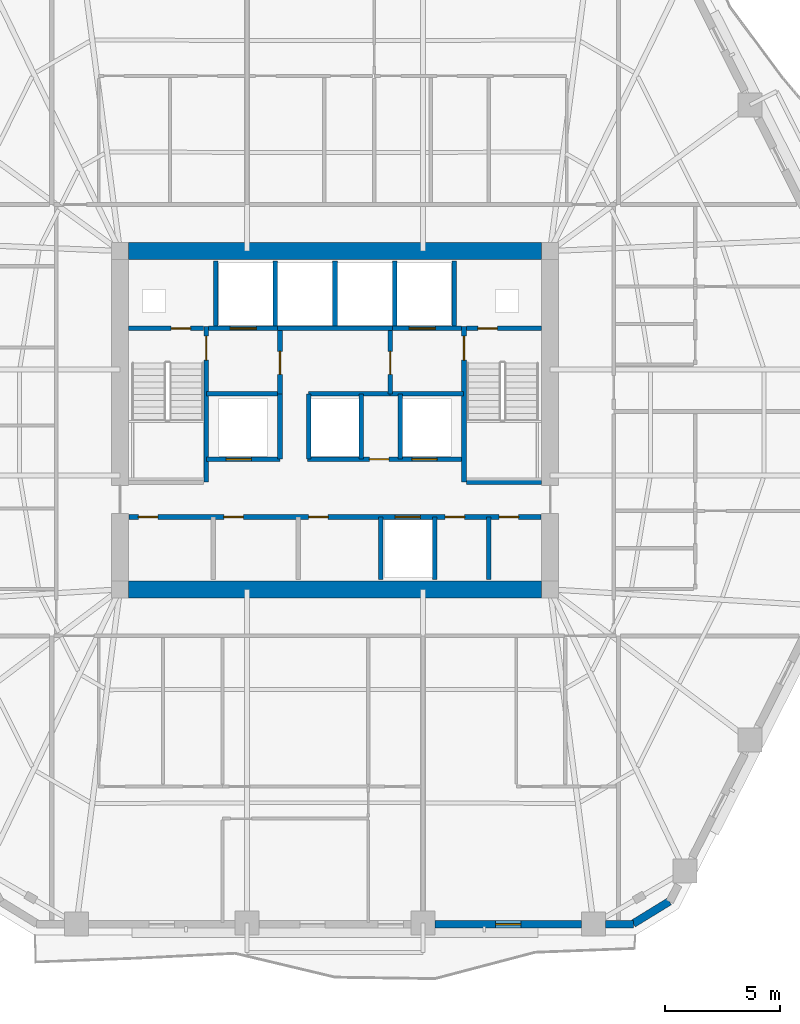
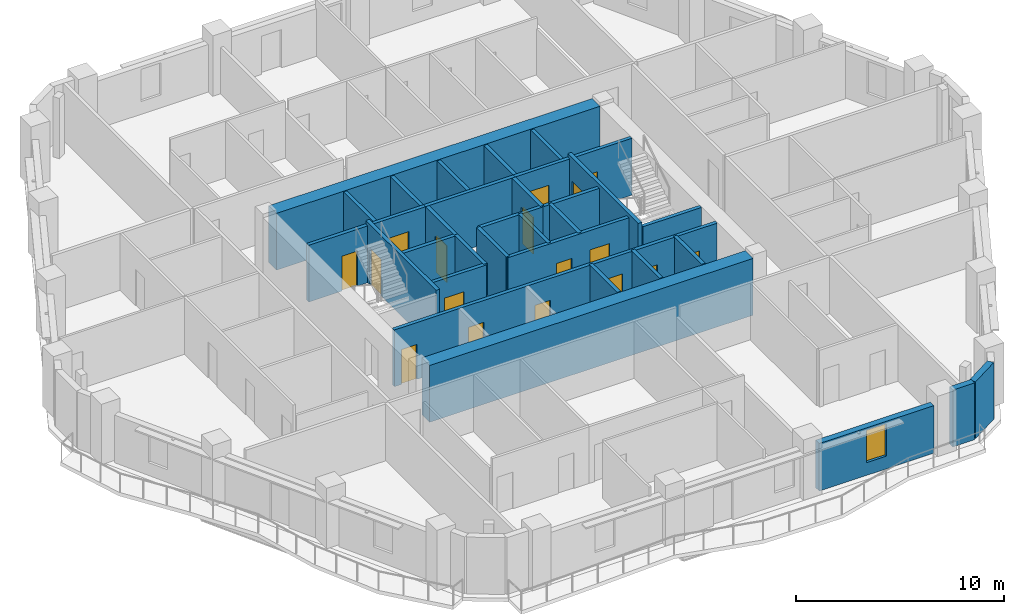
# One storey, part 5 of 12: 33 walls, 17 doors, 1 window, 18 openings.
"""IFC4 building model written with IfcOpenShell, lengths in metres."""

import ifcopenshell
import ifcopenshell.guid

model = None  # the IFC model being written
_history = None  # IfcOwnerHistory: only IFC2X3 demands one
_inside = {}  # id of a spatial element -> (the spatial element, [elements in it])
_under = {}  # id of a project, library or spatial element -> (it, [spatial elements below it])
_declared = {}  # id of a project -> (the project, [libraries it declares])
_typed = {}  # id of a type object -> (the type object, [elements of that type])
_made_of = {}  # id of a material, layer set ... -> (it, [elements and type objects made of it])


def new_model(schema):
    """Start an empty IFC model of exactly this schema.

    Asked for "IFC4X3", IfcOpenShell would pick the latest addendum, in which some entities
    have other attributes; the version numbers below select the first issue.
    IFC2X3 requires an IfcOwnerHistory on every rooted entity: one is made here for all.
    """
    global model, _history
    if schema == "IFC4X3":
        model = ifcopenshell.file(schema_version=(4, 3, 0, 0))
    else:
        model = ifcopenshell.file(schema=schema)
    _inside.clear()
    _under.clear()
    _declared.clear()
    _typed.clear()
    _made_of.clear()
    _history = None
    if model.schema == "IFC2X3":
        org = make("IfcOrganization", Name="unknown")
        user = make(
            "IfcPersonAndOrganization",
            ThePerson=make("IfcPerson", FamilyName="unknown"),
            TheOrganization=org,
        )
        app = make(
            "IfcApplication",
            ApplicationDeveloper=org,
            Version="unknown",
            ApplicationFullName="unknown",
            ApplicationIdentifier="unknown",
        )
        _history = make(
            "IfcOwnerHistory",
            OwningUser=user,
            OwningApplication=app,
            ChangeAction="ADDED",
            CreationDate=0,
        )
    return model


def make(cls, **values):
    """One entity of the class cls with the attributes given. An attribute that is None is left unset."""
    return model.create_entity(
        cls, **{name: value for name, value in values.items() if value is not None}
    )


def rooted(cls, **values):
    """An entity with a GlobalId (a new one), such as an element, a storey or a relation."""
    return make(cls, GlobalId=ifcopenshell.guid.new(), OwnerHistory=_history, **values)


def si_unit(unit_type, name, prefix=None):
    """IfcSIUnit, for example si_unit("LENGTHUNIT", "METRE", prefix="MILLI")."""
    return make("IfcSIUnit", UnitType=unit_type, Prefix=prefix, Name=name)


def assignment(units):
    """IfcUnitAssignment: the units of a project."""
    return None if units is None else make("IfcUnitAssignment", Units=units)


def point(xyz):
    """IfcCartesianPoint."""
    return None if xyz is None else make("IfcCartesianPoint", Coordinates=xyz)


def direction(xyz):
    """IfcDirection."""
    return None if xyz is None else make("IfcDirection", DirectionRatios=xyz)


def frame(location, z_axis=None, x_axis=None):
    """IfcAxis2Placement3D, a coordinate frame: its origin and axes. An axis left out is left unset."""
    return make(
        "IfcAxis2Placement3D",
        Location=point(location),
        Axis=direction(z_axis),
        RefDirection=direction(x_axis),
    )


def frame_2d(location, x_axis=None):
    """IfcAxis2Placement2D, a coordinate frame in the plane: its origin and x axis."""
    return make(
        "IfcAxis2Placement2D", Location=point(location), RefDirection=direction(x_axis)
    )


def origin():
    """The frame at (0, 0, 0) with its axes left unset."""
    return frame((0.0, 0.0, 0.0))


def place(relative_to, where):
    """IfcLocalPlacement: puts the frame where relative to a parent placement (None: the world)."""
    return make(
        "IfcLocalPlacement", PlacementRelTo=relative_to, RelativePlacement=where
    )


def context(
    kind, dimensions, precision=None, world=None, true_north=None, identifier=None
):
    """IfcGeometricRepresentationContext, for example the 3D "Model" context."""
    return make(
        "IfcGeometricRepresentationContext",
        ContextIdentifier=identifier,
        ContextType=kind,
        CoordinateSpaceDimension=dimensions,
        Precision=precision,
        WorldCoordinateSystem=world,
        TrueNorth=true_north,
    )


def subcontext(parent, identifier, kind, view, scale=None):
    """IfcGeometricRepresentationSubContext, for example "Body" below "Model"."""
    return make(
        "IfcGeometricRepresentationSubContext",
        ContextIdentifier=identifier,
        ContextType=kind,
        ParentContext=parent,
        TargetScale=scale,
        TargetView=view,
    )


def project(units=None, contexts=None):
    """IfcProject with its units and contexts."""
    return rooted(
        "IfcProject",
        Name="project",
        RepresentationContexts=contexts,
        UnitsInContext=assignment(units),
    )


def spatial(cls, under=None, at=None, **own):
    """A site, building, storey or space (cls), placed at a placement, below another one or the project."""
    s = rooted(cls, ObjectPlacement=at, **own)
    if under is not None:
        _under.setdefault(under.id(), (under, []))[1].append(s)
    return s


def profile(cls, at=None, kind="AREA", **sizes):
    """A parametric profile (cls). Its sizes go by their IFC names, for example OverallWidth=200.0."""
    return make(cls, ProfileType=kind, Position=at, **sizes)


def rectangle(**sizes):
    """IfcRectangleProfileDef."""
    return profile("IfcRectangleProfileDef", **sizes)


def extrude(swept, where, along, depth):
    """IfcExtrudedAreaSolid: the profile swept, set in the frame where, extruded along a direction by depth."""
    return make(
        "IfcExtrudedAreaSolid",
        SweptArea=swept,
        Position=where,
        ExtrudedDirection=direction(along),
        Depth=depth,
    )


def shape(context_of_items, identifier, shape_type, items):
    """IfcShapeRepresentation: the items that make up one representation, for example the "Body"."""
    return make(
        "IfcShapeRepresentation",
        ContextOfItems=context_of_items,
        RepresentationIdentifier=identifier,
        RepresentationType=shape_type,
        Items=items,
    )


def material(Name=None, Category=None):
    """IfcMaterial."""
    return make("IfcMaterial", Name=Name, Category=Category)


def layer(
    of_material, thickness, ventilated=None, Name=None, Category=None, Priority=None
):
    """IfcMaterialLayer: one layer of a wall or slab, of a material (None: an air gap)."""
    return make(
        "IfcMaterialLayer",
        Material=of_material,
        LayerThickness=thickness,
        IsVentilated=ventilated,
        Name=Name,
        Category=Category,
        Priority=Priority,
    )


def layer_set(layers, Name=None):
    """IfcMaterialLayerSet."""
    return make("IfcMaterialLayerSet", MaterialLayers=layers, LayerSetName=Name)


def made_of(thing, what):
    """Note that an element or type object is made of a material, layer set ...; save() writes the relation."""
    if what is not None:
        _made_of.setdefault(what.id(), (what, []))[1].append(thing)
    return thing


def type_object(cls, material=None, **own):
    """A type object (cls), such as IfcWallType, which elements share."""
    return made_of(rooted(cls, **own), material)


def element(
    cls,
    number,
    at=None,
    inside=None,
    cuts=None,
    type_object=None,
    material=None,
    context=None,
    identifier="Body",
    shape_type=None,
    held_by="IfcProductDefinitionShape",
    body=None,
    shapes=None,
    **own,
):
    """One element of the class cls, such as IfcWall. Its Tag is "e" and its number.

    at: its placement. inside: the storey or other place that contains it. cuts: it is an
    opening in that element (IfcRelVoidsElement). A single representation is given by context,
    identifier, shape_type and body (its items); several are given by shapes. held_by: the class
    of the entity that holds the representations. save() writes the other relations.
    """
    e = rooted(cls, Tag="e%d" % number, ObjectPlacement=at, **own)
    if body is not None:
        shapes = [shape(context, identifier, shape_type, body)]
    if shapes is not None:
        e.Representation = make(held_by, Representations=shapes)
    if inside is not None:
        _inside.setdefault(inside.id(), (inside, []))[1].append(e)
    if cuts is not None:
        rooted(
            "IfcRelVoidsElement", RelatingBuildingElement=cuts, RelatedOpeningElement=e
        )
    if type_object is not None:
        _typed.setdefault(type_object.id(), (type_object, []))[1].append(e)
    return made_of(e, material)


def fill(opening, filler):
    """IfcRelFillsElement: the door or window that sits in an opening."""
    return rooted(
        "IfcRelFillsElement",
        RelatingOpeningElement=opening,
        RelatedBuildingElement=filler,
    )


def aggregate(whole, parts):
    """IfcRelAggregates: a whole, such as a stair, and the parts it consists of."""
    return rooted("IfcRelAggregates", RelatingObject=whole, RelatedObjects=parts)


def save(model, path):
    """Write the relations noted so far, then the file.

    IfcRelAggregates (storeys below a building ...), IfcRelContainedInSpatialStructure (elements
    in a storey), IfcRelDefinesByType, IfcRelAssociatesMaterial and IfcRelDeclares: one each for
    every whole, place, type object, material and project.
    """
    for whole, parts in _under.values():
        aggregate(whole, parts)
    for where, things in _inside.values():
        rooted(
            "IfcRelContainedInSpatialStructure",
            RelatedElements=things,
            RelatingStructure=where,
        )
    for kind, things in _typed.values():
        rooted("IfcRelDefinesByType", RelatedObjects=things, RelatingType=kind)
    for what, things in _made_of.values():
        rooted("IfcRelAssociatesMaterial", RelatedObjects=things, RelatingMaterial=what)
    for by, libraries in _declared.values():
        rooted("IfcRelDeclares", RelatingContext=by, RelatedDefinitions=libraries)
    model.write(path)


model = new_model("IFC4")

# Units and contexts
model_context = context("Model", 3, precision=1e-05, world=origin(), true_north=direction((0.0, 1.0)))
body_context = subcontext(model_context, "Body", "Model", "MODEL_VIEW")
ifc_project = project(units=[si_unit("LENGTHUNIT", "METRE"), si_unit("AREAUNIT", "SQUARE_METRE"), si_unit("VOLUMEUNIT", "CUBIC_METRE"), si_unit("PLANEANGLEUNIT", "RADIAN"), si_unit("MASSUNIT", "GRAM", prefix="KILO")], contexts=[model_context])

# Site, building, storey
site_placement = place(None, origin())
site = spatial("IfcSite", under=ifc_project, at=site_placement, CompositionType="ELEMENT")
building_placement = place(site_placement, origin())
building = spatial("IfcBuilding", under=site, at=building_placement, Name="Cinnabar Lancet Tower", CompositionType="ELEMENT")
storey_placement = place(building_placement, frame((0.0, 0.0, 109.050048828125)))
storey = spatial("IfcBuildingStorey", under=building, at=storey_placement, Name="L28", CompositionType="ELEMENT", Elevation=109.050048828125)

# Wall
ifc_material_1 = material(Name="Autoclaved aerated concrete blockwork", Category="masonry")
ifc_layer_1 = layer(ifc_material_1, 0.199951171875)
ifc_layer_set_1 = layer_set([ifc_layer_1], Name="Autoclaved aerated concrete blockwork")
wall_type_1 = type_object("IfcWallType", Name="ARC-WL-SHAFT-200", PredefinedType="PLUMBINGWALL", material=ifc_layer_set_1)
wall_1_placement = place(storey_placement, frame((38.125, 23.199951171875, 0.0), z_axis=(0.0, 0.0, 1.0), x_axis=(1.0, 0.0, 0.0)))
element("IfcWall", 1, at=wall_1_placement, inside=storey, type_object=wall_type_1, Name="CW-ST2S-L28", PredefinedType="PLUMBINGWALL", context=body_context, shape_type="SweptSolid", body=[
    extrude(rectangle(XDim=3.27001953125, YDim=0.199951171875, at=frame_2d((1.635009765625, 0.0))), origin(), (0.0, 0.0, 1.0), 3.33984375),
])

# Wall, opening, door
wall_2_placement = place(storey_placement, frame((23.405029296875, 29.89990234375, 0.0), z_axis=(0.0, 0.0, 1.0), x_axis=(1.0, 0.0, 0.0)))
wall_2 = element("IfcWall", 2, at=wall_2_placement, inside=storey, type_object=wall_type_1, Name="CW-NSH-W-L28", PredefinedType="PLUMBINGWALL", context=body_context, shape_type="SweptSolid", body=[
    extrude(rectangle(XDim=3.27001953125, YDim=0.199951171875, at=frame_2d((1.635009765625, 0.0))), origin(), (0.0, 0.0, 1.0), 3.33984375),
])
opening_1_placement = place(wall_2_placement, frame((1.85009765625, 0.0, 0.0)))
opening_1 = element("IfcOpeningElement", 3, at=opening_1_placement, cuts=wall_2, Name="Opening PD-02", PredefinedType="OPENING", context=body_context, shape_type="SweptSolid", body=[
    extrude(rectangle(XDim=0.85009765625, YDim=2.050048828125, at=frame_2d((0.425048828125, 1.02490234375))), frame((0.0, 0.10986328125, 0.0), z_axis=(0.0, -1.0, 0.0), x_axis=(1.0, 0.0, 0.0)), (0.0, 0.0, 1.0), 0.219970703125),
])
ifc_material_2 = material(Name="Fire-rated steel riser access door", Category="steel")
door_type_1 = type_object("IfcDoorType", Name="ARC-DR-RISER", OperationType="NOTDEFINED", PredefinedType="DOOR", material=ifc_material_2)
door_1_placement = place(opening_1_placement, origin())
door_1 = element("IfcDoor", 4, at=door_1_placement, inside=storey, type_object=door_type_1, Name="L28 West Riser Access Door", OperationType="SINGLE_SWING_LEFT", OverallHeight=2.050048828125, OverallWidth=0.85009765625, PredefinedType="DOOR", context=body_context, shape_type="SweptSolid", body=[
    extrude(rectangle(XDim=0.85009765625, YDim=2.050048828125, at=frame_2d((0.425048828125, 1.02490234375))), frame((0.0, 0.02490234375, 0.0), z_axis=(0.0, -1.0, 0.0), x_axis=(1.0, 0.0, 0.0)), (0.0, 0.0, 1.0), 0.050048828125),
])
fill(opening_1, door_1)

wall_3_placement = place(storey_placement, frame((26.885009765625, 29.89990234375, 0.0), z_axis=(0.0, 0.0, 1.0), x_axis=(1.0, 0.0, 0.0)))
wall_3 = element("IfcWall", 5, at=wall_3_placement, inside=storey, type_object=wall_type_1, Name="CW-FL1-L28", PredefinedType="PLUMBINGWALL", context=body_context, shape_type="SweptSolid", body=[
    extrude(rectangle(XDim=3.014892578125, YDim=0.199951171875, at=frame_2d((1.50732421875, 0.0))), origin(), (0.0, 0.0, 1.0), 3.33984375),
])
opening_2_placement = place(wall_3_placement, frame((0.93994140625, 0.0, 0.0)))
opening_2 = element("IfcOpeningElement", 6, at=opening_2_placement, cuts=wall_3, Name="Opening LD-02", PredefinedType="OPENING", context=body_context, shape_type="SweptSolid", body=[
    extrude(rectangle(XDim=1.14990234375, YDim=2.199951171875, at=frame_2d((0.574951171875, 1.10009765625))), frame((0.0, 0.10986328125, 0.0), z_axis=(0.0, -1.0, 0.0), x_axis=(1.0, 0.0, 0.0)), (0.0, 0.0, 1.0), 0.219970703125),
])
ifc_material_3 = material(Name="Fire-rated stainless steel firefighting lift landing door", Category="steel")
door_type_2 = type_object("IfcDoorType", Name="ARC-DR-LD-FIRE", OperationType="NOTDEFINED", PredefinedType="DOOR", material=ifc_material_3)
door_2_placement = place(opening_2_placement, origin())
door_2 = element("IfcDoor", 7, at=door_2_placement, inside=storey, type_object=door_type_2, Name="L28 Firefighting Lift FL-1 Landing Door", OperationType="DOUBLE_DOOR_SLIDING", OverallHeight=2.199951171875, OverallWidth=1.14990234375, PredefinedType="DOOR", context=body_context, shape_type="SweptSolid", body=[
    extrude(rectangle(XDim=1.14990234375, YDim=2.199951171875, at=frame_2d((0.574951171875, 1.10009765625))), frame((0.0, 0.02490234375, 0.0), z_axis=(0.0, -1.0, 0.0), x_axis=(1.0, 0.0, 0.0)), (0.0, 0.0, 1.0), 0.050048828125),
])
fill(opening_2, door_2)

# Wall
wall_4_placement = place(storey_placement, frame((29.89990234375, 29.89990234375, 0.0), z_axis=(0.0, 0.0, 1.0), x_axis=(1.0, 0.0, 0.0)))
element("IfcWall", 8, at=wall_4_placement, inside=storey, type_object=wall_type_1, Name="CW-PL78-L28", PredefinedType="PLUMBINGWALL", context=body_context, shape_type="SweptSolid", body=[
    extrude(rectangle(XDim=5.0, YDim=0.199951171875, at=frame_2d((2.5, 0.0))), origin(), (0.0, 0.0, 1.0), 3.33984375),
])

# Wall, opening, door
wall_5_placement = place(storey_placement, frame((34.89990234375, 29.89990234375, 0.0), z_axis=(0.0, 0.0, 1.0), x_axis=(1.0, 0.0, 0.0)))
wall_5 = element("IfcWall", 9, at=wall_5_placement, inside=storey, type_object=wall_type_1, Name="CW-FL2-L28", PredefinedType="PLUMBINGWALL", context=body_context, shape_type="SweptSolid", body=[
    extrude(rectangle(XDim=3.01513671875, YDim=0.199951171875, at=frame_2d((1.507568359375, 0.0))), origin(), (0.0, 0.0, 1.0), 3.33984375),
])
opening_3_placement = place(wall_5_placement, frame((0.72509765625, 0.0, 0.0)))
opening_3 = element("IfcOpeningElement", 10, at=opening_3_placement, cuts=wall_5, Name="Opening LD-02", PredefinedType="OPENING", context=body_context, shape_type="SweptSolid", body=[
    extrude(rectangle(XDim=1.14990234375, YDim=2.199951171875, at=frame_2d((0.574951171875, 1.10009765625))), frame((0.0, 0.10986328125, 0.0), z_axis=(0.0, -1.0, 0.0), x_axis=(1.0, 0.0, 0.0)), (0.0, 0.0, 1.0), 0.219970703125),
])
door_3_placement = place(opening_3_placement, origin())
door_3 = element("IfcDoor", 11, at=door_3_placement, inside=storey, type_object=door_type_2, Name="L28 Firefighting Lift FL-2 Landing Door", OperationType="DOUBLE_DOOR_SLIDING", OverallHeight=2.199951171875, OverallWidth=1.14990234375, PredefinedType="DOOR", context=body_context, shape_type="SweptSolid", body=[
    extrude(rectangle(XDim=1.14990234375, YDim=2.199951171875, at=frame_2d((0.574951171875, 1.10009765625))), frame((0.0, 0.02490234375, 0.0), z_axis=(0.0, -1.0, 0.0), x_axis=(1.0, 0.0, 0.0)), (0.0, 0.0, 1.0), 0.050048828125),
])
fill(opening_3, door_3)

wall_6_placement = place(storey_placement, frame((38.125, 29.89990234375, 0.0), z_axis=(0.0, 0.0, 1.0), x_axis=(1.0, 0.0, 0.0)))
wall_6 = element("IfcWall", 12, at=wall_6_placement, inside=storey, type_object=wall_type_1, Name="CW-NSH-E-L28", PredefinedType="PLUMBINGWALL", context=body_context, shape_type="SweptSolid", body=[
    extrude(rectangle(XDim=3.27001953125, YDim=0.199951171875, at=frame_2d((1.635009765625, 0.0))), origin(), (0.0, 0.0, 1.0), 3.33984375),
])
opening_4_placement = place(wall_6_placement, frame((0.5, 0.0, 0.0)))
opening_4 = element("IfcOpeningElement", 13, at=opening_4_placement, cuts=wall_6, Name="Opening PD-02", PredefinedType="OPENING", context=body_context, shape_type="SweptSolid", body=[
    extrude(rectangle(XDim=0.85009765625, YDim=2.050048828125, at=frame_2d((0.425048828125, 1.02490234375))), frame((0.0, 0.10986328125, 0.0), z_axis=(0.0, -1.0, 0.0), x_axis=(1.0, 0.0, 0.0)), (0.0, 0.0, 1.0), 0.219970703125),
])
door_4_placement = place(opening_4_placement, origin())
door_4 = element("IfcDoor", 14, at=door_4_placement, inside=storey, type_object=door_type_1, Name="L28 East Riser Access Door", OperationType="SINGLE_SWING_RIGHT", OverallHeight=2.050048828125, OverallWidth=0.85009765625, PredefinedType="DOOR", context=body_context, shape_type="SweptSolid", body=[
    extrude(rectangle(XDim=0.85009765625, YDim=2.050048828125, at=frame_2d((0.425048828125, 1.02490234375))), frame((0.0, 0.02490234375, 0.0), z_axis=(0.0, -1.0, 0.0), x_axis=(1.0, 0.0, 0.0)), (0.0, 0.0, 1.0), 0.050048828125),
])
fill(opening_4, door_4)

# Walls
for number, where, z_axis, x_axis, name in (
    (15, (27.199951171875, 30.0, 0.0), (0.0, 0.0, 1.0), (0.0, 1.0, 0.0), "CW-NSH-D1-L28"),
    (16, (29.800048828125, 30.0, 0.0), (0.0, 0.0, 1.0), (0.0, 1.0, 0.0), "CW-NSH-D2-L28"),
    (17, (32.39990234375, 30.0, 0.0), (0.0, 0.0, 1.0), (0.0, 1.0, 0.0), "CW-NSH-D3-L28"),
    (18, (35.0, 30.0, 0.0), (0.0, 0.0, 1.0), (0.0, 1.0, 0.0), "CW-NSH-D4-L28"),
    (19, (37.60009765625, 30.0, 0.0), (0.0, 0.0, 1.0), (0.0, 1.0, 0.0), "CW-NSH-D5-L28"),
):
    element("IfcWall", number, at=place(storey_placement, frame(where, z_axis=z_axis, x_axis=x_axis)), inside=storey, type_object=wall_type_1, Name=name, PredefinedType="PLUMBINGWALL", context=body_context, shape_type="SweptSolid", body=[
        extrude(rectangle(XDim=2.85009765625, YDim=0.199951171875, at=frame_2d((1.425048828125, 0.0))), origin(), (0.0, 0.0, 1.0), 3.33984375),
    ])

# Wall, opening, door
wall_7_placement = place(storey_placement, frame((30.0, 27.050048828125, 0.0), z_axis=(0.0, 0.0, 1.0), x_axis=(0.0, 1.0, 0.0)))
wall_7 = element("IfcWall", 20, at=wall_7_placement, inside=storey, type_object=wall_type_1, Name="CW-FF1E-L28", PredefinedType="PLUMBINGWALL", context=body_context, shape_type="SweptSolid", body=[
    extrude(rectangle(XDim=2.75, YDim=0.199951171875, at=frame_2d((1.375, 0.0))), origin(), (0.0, 0.0, 1.0), 3.33984375),
])
opening_5_placement = place(wall_7_placement, frame((0.85009765625, 0.0, 0.0)))
opening_5 = element("IfcOpeningElement", 21, at=opening_5_placement, cuts=wall_7, Name="Opening FD-01", PredefinedType="OPENING", context=body_context, shape_type="SweptSolid", body=[
    extrude(rectangle(XDim=1.0, YDim=2.14990234375, at=frame_2d((0.5, 1.074951171875))), frame((0.0, 0.10986328125, 0.0), z_axis=(0.0, -1.0, 0.0), x_axis=(1.0, 0.0, 0.0)), (0.0, 0.0, 1.0), 0.219970703125),
])
ifc_material_4 = material(Name="Fire-rated timber-core lobby door", Category="wood")
door_type_3 = type_object("IfcDoorType", Name="ARC-DR-FFAL", OperationType="NOTDEFINED", PredefinedType="DOOR", material=ifc_material_4)
door_5_placement = place(opening_5_placement, origin())
door_5 = element("IfcDoor", 22, at=door_5_placement, inside=storey, type_object=door_type_3, Name="L28 FFAL-1 Lobby Fire Door", OperationType="SINGLE_SWING_RIGHT", OverallHeight=2.14990234375, OverallWidth=1.0, PredefinedType="DOOR", context=body_context, shape_type="SweptSolid", body=[
    extrude(rectangle(XDim=1.0, YDim=2.14990234375, at=frame_2d((0.5, 1.074951171875))), frame((0.0, 0.02490234375, 0.0), z_axis=(0.0, -1.0, 0.0), x_axis=(1.0, 0.0, 0.0)), (0.0, 0.0, 1.0), 0.050048828125),
])
fill(opening_5, door_5)

# Wall
wall_8_placement = place(storey_placement, frame((26.800048828125, 27.050048828125, 0.0), z_axis=(0.0, 0.0, 1.0), x_axis=(1.0, 0.0, 0.0)))
element("IfcWall", 23, at=wall_8_placement, inside=storey, type_object=wall_type_1, Name="CW-FF1S-L28", PredefinedType="PLUMBINGWALL", context=body_context, shape_type="SweptSolid", body=[
    extrude(rectangle(XDim=3.199951171875, YDim=0.199951171875, at=frame_2d((1.60009765625, 0.0))), origin(), (0.0, 0.0, 1.0), 3.33984375),
])

# Wall, opening, door
wall_9_placement = place(storey_placement, frame((34.800048828125, 27.050048828125, 0.0), z_axis=(0.0, 0.0, 1.0), x_axis=(0.0, 1.0, 0.0)))
wall_9 = element("IfcWall", 24, at=wall_9_placement, inside=storey, type_object=wall_type_1, Name="CW-FF2W-L28", PredefinedType="PLUMBINGWALL", context=body_context, shape_type="SweptSolid", body=[
    extrude(rectangle(XDim=2.75, YDim=0.199951171875, at=frame_2d((1.375, 0.0))), origin(), (0.0, 0.0, 1.0), 3.33984375),
])
opening_6_placement = place(wall_9_placement, frame((0.85009765625, 0.0, 0.0)))
opening_6 = element("IfcOpeningElement", 25, at=opening_6_placement, cuts=wall_9, Name="Opening FD-01", PredefinedType="OPENING", context=body_context, shape_type="SweptSolid", body=[
    extrude(rectangle(XDim=1.0, YDim=2.14990234375, at=frame_2d((0.5, 1.074951171875))), frame((0.0, 0.10986328125, 0.0), z_axis=(0.0, -1.0, 0.0), x_axis=(1.0, 0.0, 0.0)), (0.0, 0.0, 1.0), 0.219970703125),
])
door_6_placement = place(opening_6_placement, origin())
door_6 = element("IfcDoor", 26, at=door_6_placement, inside=storey, type_object=door_type_3, Name="L28 FFAL-2 Lobby Fire Door", OperationType="SINGLE_SWING_LEFT", OverallHeight=2.14990234375, OverallWidth=1.0, PredefinedType="DOOR", context=body_context, shape_type="SweptSolid", body=[
    extrude(rectangle(XDim=1.0, YDim=2.14990234375, at=frame_2d((0.5, 1.074951171875))), frame((0.0, 0.02490234375, 0.0), z_axis=(0.0, -1.0, 0.0), x_axis=(1.0, 0.0, 0.0)), (0.0, 0.0, 1.0), 0.050048828125),
])
fill(opening_6, door_6)

# Wall
wall_10_placement = place(storey_placement, frame((34.800048828125, 27.050048828125, 0.0), z_axis=(0.0, 0.0, 1.0), x_axis=(1.0, 0.0, 0.0)))
element("IfcWall", 27, at=wall_10_placement, inside=storey, type_object=wall_type_1, Name="CW-FF2S-L28", PredefinedType="PLUMBINGWALL", context=body_context, shape_type="SweptSolid", body=[
    extrude(rectangle(XDim=3.199951171875, YDim=0.199951171875, at=frame_2d((1.60009765625, 0.0))), origin(), (0.0, 0.0, 1.0), 3.33984375),
])

# Wall, opening, door
wall_11_placement = place(storey_placement, frame((26.800048828125, 24.199951171875, 0.0), z_axis=(0.0, 0.0, 1.0), x_axis=(1.0, 0.0, 0.0)))
wall_11 = element("IfcWall", 28, at=wall_11_placement, inside=storey, type_object=wall_type_1, Name="CW-PL5S-L28", PredefinedType="PLUMBINGWALL", context=body_context, shape_type="SweptSolid", body=[
    extrude(rectangle(XDim=3.199951171875, YDim=0.199951171875, at=frame_2d((1.60009765625, 0.0))), origin(), (0.0, 0.0, 1.0), 3.33984375),
])
opening_7_placement = place(wall_11_placement, frame((0.85009765625, 0.0, 0.0)))
opening_7 = element("IfcOpeningElement", 29, at=opening_7_placement, cuts=wall_11, Name="Opening LD-01", PredefinedType="OPENING", context=body_context, shape_type="SweptSolid", body=[
    extrude(rectangle(XDim=1.10009765625, YDim=2.199951171875, at=frame_2d((0.550048828125, 1.10009765625))), frame((0.0, 0.10986328125, 0.0), z_axis=(0.0, -1.0, 0.0), x_axis=(1.0, 0.0, 0.0)), (0.0, 0.0, 1.0), 0.219970703125),
])
ifc_material_5 = material(Name="Brushed stainless steel sliding lift door", Category="steel")
door_type_4 = type_object("IfcDoorType", Name="ARC-DR-LD-PASS", OperationType="NOTDEFINED", PredefinedType="DOOR", material=ifc_material_5)
door_7_placement = place(opening_7_placement, origin())
door_7 = element("IfcDoor", 30, at=door_7_placement, inside=storey, type_object=door_type_4, Name="L28 Lift PL-5 Landing Door", OperationType="DOUBLE_DOOR_SLIDING", OverallHeight=2.199951171875, OverallWidth=1.10009765625, PredefinedType="DOOR", context=body_context, shape_type="SweptSolid", body=[
    extrude(rectangle(XDim=1.10009765625, YDim=2.199951171875, at=frame_2d((0.550048828125, 1.10009765625))), frame((0.0, 0.02490234375, 0.0), z_axis=(0.0, -1.0, 0.0), x_axis=(1.0, 0.0, 0.0)), (0.0, 0.0, 1.0), 0.050048828125),
])
fill(opening_7, door_7)

# Wall
wall_12_placement = place(storey_placement, frame((30.0, 24.199951171875, 0.0), z_axis=(0.0, 0.0, 1.0), x_axis=(0.0, 1.0, 0.0)))
element("IfcWall", 31, at=wall_12_placement, inside=storey, type_object=wall_type_1, Name="CW-PL5E-L28", PredefinedType="PLUMBINGWALL", context=body_context, shape_type="SweptSolid", body=[
    extrude(rectangle(XDim=2.85009765625, YDim=0.199951171875, at=frame_2d((1.425048828125, 0.0))), origin(), (0.0, 0.0, 1.0), 3.33984375),
])

# Wall, openings, doors
wall_13_placement = place(storey_placement, frame((31.199951171875, 24.199951171875, 0.0), z_axis=(0.0, 0.0, 1.0), x_axis=(1.0, 0.0, 0.0)))
wall_13 = element("IfcWall", 32, at=wall_13_placement, inside=storey, type_object=wall_type_1, Name="CW-PL96S-L28", PredefinedType="PLUMBINGWALL", context=body_context, shape_type="SweptSolid", body=[
    extrude(rectangle(XDim=6.800048828125, YDim=0.199951171875, at=frame_2d((3.39990234375, 0.0))), origin(), (0.0, 0.0, 1.0), 3.33984375),
])
opening_8_placement = place(wall_13_placement, frame((2.699951171875, 0.0, 0.0)))
opening_8 = element("IfcOpeningElement", 33, at=opening_8_placement, cuts=wall_13, Name="Opening PD-02", PredefinedType="OPENING", context=body_context, shape_type="SweptSolid", body=[
    extrude(rectangle(XDim=0.85009765625, YDim=2.050048828125, at=frame_2d((0.425048828125, 1.02490234375))), frame((0.0, 0.10986328125, 0.0), z_axis=(0.0, -1.0, 0.0), x_axis=(1.0, 0.0, 0.0)), (0.0, 0.0, 1.0), 0.219970703125),
])
opening_9_placement = place(wall_13_placement, frame((4.550048828125, 0.0, 0.0)))
opening_9 = element("IfcOpeningElement", 34, at=opening_9_placement, cuts=wall_13, Name="Opening LD-01", PredefinedType="OPENING", context=body_context, shape_type="SweptSolid", body=[
    extrude(rectangle(XDim=1.10009765625, YDim=2.199951171875, at=frame_2d((0.550048828125, 1.10009765625))), frame((0.0, 0.10986328125, 0.0), z_axis=(0.0, -1.0, 0.0), x_axis=(1.0, 0.0, 0.0)), (0.0, 0.0, 1.0), 0.219970703125),
])
door_8_placement = place(opening_9_placement, origin())
door_8 = element("IfcDoor", 35, at=door_8_placement, inside=storey, type_object=door_type_4, Name="L28 Lift PL-6 Landing Door", OperationType="DOUBLE_DOOR_SLIDING", OverallHeight=2.199951171875, OverallWidth=1.10009765625, PredefinedType="DOOR", context=body_context, shape_type="SweptSolid", body=[
    extrude(rectangle(XDim=1.10009765625, YDim=2.199951171875, at=frame_2d((0.550048828125, 1.10009765625))), frame((0.0, 0.02490234375, 0.0), z_axis=(0.0, -1.0, 0.0), x_axis=(1.0, 0.0, 0.0)), (0.0, 0.0, 1.0), 0.050048828125),
])
fill(opening_9, door_8)
door_9_placement = place(opening_8_placement, origin())
door_9 = element("IfcDoor", 36, at=door_9_placement, inside=storey, type_object=door_type_1, Name="L28 BMS Closet Door", OperationType="SINGLE_SWING_LEFT", OverallHeight=2.050048828125, OverallWidth=0.85009765625, PredefinedType="DOOR", context=body_context, shape_type="SweptSolid", body=[
    extrude(rectangle(XDim=0.85009765625, YDim=2.050048828125, at=frame_2d((0.425048828125, 1.02490234375))), frame((0.0, 0.02490234375, 0.0), z_axis=(0.0, -1.0, 0.0), x_axis=(1.0, 0.0, 0.0)), (0.0, 0.0, 1.0), 0.050048828125),
])
fill(opening_8, door_9)

# Walls
for number, where, z_axis, x_axis, name in (
    (37, (31.25, 24.199951171875, 0.0), (0.0, 0.0, 1.0), (0.0, 1.0, 0.0), "CW-PL9W-L28"),
    (38, (33.550048828125, 24.199951171875, 0.0), (0.0, 0.0, 1.0), (0.0, 1.0, 0.0), "CW-PL9E-L28"),
    (39, (35.25, 24.199951171875, 0.0), (0.0, 0.0, 1.0), (0.0, 1.0, 0.0), "CW-PL6W-L28"),
):
    element("IfcWall", number, at=place(storey_placement, frame(where, z_axis=z_axis, x_axis=x_axis)), inside=storey, type_object=wall_type_1, Name=name, PredefinedType="PLUMBINGWALL", context=body_context, shape_type="SweptSolid", body=[
        extrude(rectangle(XDim=2.85009765625, YDim=0.199951171875, at=frame_2d((1.425048828125, 0.0))), origin(), (0.0, 0.0, 1.0), 3.33984375),
    ])
wall_14_placement = place(storey_placement, frame((31.25, 27.050048828125, 0.0), z_axis=(0.0, 0.0, 1.0), x_axis=(1.0, 0.0, 0.0)))
element("IfcWall", 40, at=wall_14_placement, inside=storey, type_object=wall_type_1, Name="CW-PL96N-L28", PredefinedType="PLUMBINGWALL", context=body_context, shape_type="SweptSolid", body=[
    extrude(rectangle(XDim=3.550048828125, YDim=0.199951171875, at=frame_2d((1.77490234375, 0.0))), origin(), (0.0, 0.0, 1.0), 3.33984375),
])

# Wall, openings, doors
wall_15_placement = place(storey_placement, frame((23.419921875, 21.679931640625, 0.0), z_axis=(0.0, 0.0, 1.0), x_axis=(1.0, 0.0, 0.0)))
wall_15 = element("IfcWall", 41, at=wall_15_placement, inside=storey, type_object=wall_type_1, Name="CW-SBANDN-L28", PredefinedType="PLUMBINGWALL", context=body_context, shape_type="SweptSolid", body=[
    extrude(rectangle(XDim=17.9599609375, YDim=0.199951171875, at=frame_2d((8.97998046875, 0.0))), origin(), (0.0, 0.0, 1.0), 3.33984375),
])
opening_10_placement = place(wall_15_placement, frame((11.60009765625, 0.0, 0.0)))
opening_10 = element("IfcOpeningElement", 42, at=opening_10_placement, cuts=wall_15, Name="Opening LD-01", PredefinedType="OPENING", context=body_context, shape_type="SweptSolid", body=[
    extrude(rectangle(XDim=1.10009765625, YDim=2.199951171875, at=frame_2d((0.550048828125, 1.10009765625))), frame((0.0, 0.10986328125, 0.0), z_axis=(0.0, -1.0, 0.0), x_axis=(1.0, 0.0, 0.0)), (0.0, 0.0, 1.0), 0.219970703125),
])
opening_11_placement = place(wall_15_placement, frame((0.409912109375, 0.0, 0.0)))
opening_11 = element("IfcOpeningElement", 43, at=opening_11_placement, cuts=wall_15, Name="Opening PD-02", PredefinedType="OPENING", context=body_context, shape_type="SweptSolid", body=[
    extrude(rectangle(XDim=0.85009765625, YDim=2.050048828125, at=frame_2d((0.425048828125, 1.02490234375))), frame((0.0, 0.10986328125, 0.0), z_axis=(0.0, -1.0, 0.0), x_axis=(1.0, 0.0, 0.0)), (0.0, 0.0, 1.0), 0.219970703125),
])
opening_12_placement = place(wall_15_placement, frame((4.1298828125, 0.0, 0.0)))
opening_12 = element("IfcOpeningElement", 44, at=opening_12_placement, cuts=wall_15, Name="Opening PD-02", PredefinedType="OPENING", context=body_context, shape_type="SweptSolid", body=[
    extrude(rectangle(XDim=0.85009765625, YDim=2.050048828125, at=frame_2d((0.425048828125, 1.02490234375))), frame((0.0, 0.10986328125, 0.0), z_axis=(0.0, -1.0, 0.0), x_axis=(1.0, 0.0, 0.0)), (0.0, 0.0, 1.0), 0.219970703125),
])
opening_13_placement = place(wall_15_placement, frame((7.830078125, 0.0, 0.0)))
opening_13 = element("IfcOpeningElement", 45, at=opening_13_placement, cuts=wall_15, Name="Opening PD-02", PredefinedType="OPENING", context=body_context, shape_type="SweptSolid", body=[
    extrude(rectangle(XDim=0.85009765625, YDim=2.050048828125, at=frame_2d((0.425048828125, 1.02490234375))), frame((0.0, 0.10986328125, 0.0), z_axis=(0.0, -1.0, 0.0), x_axis=(1.0, 0.0, 0.0)), (0.0, 0.0, 1.0), 0.219970703125),
])
opening_14_placement = place(wall_15_placement, frame((13.780029296875, 0.0, 0.0)))
opening_14 = element("IfcOpeningElement", 46, at=opening_14_placement, cuts=wall_15, Name="Opening PD-02", PredefinedType="OPENING", context=body_context, shape_type="SweptSolid", body=[
    extrude(rectangle(XDim=0.85009765625, YDim=2.050048828125, at=frame_2d((0.425048828125, 1.02490234375))), frame((0.0, 0.10986328125, 0.0), z_axis=(0.0, -1.0, 0.0), x_axis=(1.0, 0.0, 0.0)), (0.0, 0.0, 1.0), 0.219970703125),
])
opening_15_placement = place(wall_15_placement, frame((16.1298828125, 0.0, 0.0)))
opening_15 = element("IfcOpeningElement", 47, at=opening_15_placement, cuts=wall_15, Name="Opening PD-02", PredefinedType="OPENING", context=body_context, shape_type="SweptSolid", body=[
    extrude(rectangle(XDim=0.85009765625, YDim=2.050048828125, at=frame_2d((0.425048828125, 1.02490234375))), frame((0.0, 0.10986328125, 0.0), z_axis=(0.0, -1.0, 0.0), x_axis=(1.0, 0.0, 0.0)), (0.0, 0.0, 1.0), 0.219970703125),
])
door_10_placement = place(opening_10_placement, origin())
door_10 = element("IfcDoor", 48, at=door_10_placement, inside=storey, type_object=door_type_4, Name="L28 Lift PL-4 Landing Door", OperationType="DOUBLE_DOOR_SLIDING", OverallHeight=2.199951171875, OverallWidth=1.10009765625, PredefinedType="DOOR", context=body_context, shape_type="SweptSolid", body=[
    extrude(rectangle(XDim=1.10009765625, YDim=2.199951171875, at=frame_2d((0.550048828125, 1.10009765625))), frame((0.0, 0.02490234375, 0.0), z_axis=(0.0, -1.0, 0.0), x_axis=(1.0, 0.0, 0.0)), (0.0, 0.0, 1.0), 0.050048828125),
])
fill(opening_10, door_10)
door_11_placement = place(opening_11_placement, origin())
door_11 = element("IfcDoor", 49, at=door_11_placement, inside=storey, type_object=door_type_1, Name="DR-L28-MREC1", OperationType="SINGLE_SWING_LEFT", OverallHeight=2.050048828125, OverallWidth=0.85009765625, PredefinedType="DOOR", context=body_context, shape_type="SweptSolid", body=[
    extrude(rectangle(XDim=0.85009765625, YDim=2.050048828125, at=frame_2d((0.425048828125, 1.02490234375))), frame((0.0, 0.02490234375, 0.0), z_axis=(0.0, -1.0, 0.0), x_axis=(1.0, 0.0, 0.0)), (0.0, 0.0, 1.0), 0.050048828125),
])
fill(opening_11, door_11)
door_12_placement = place(opening_12_placement, origin())
door_12 = element("IfcDoor", 50, at=door_12_placement, inside=storey, type_object=door_type_1, Name="DR-L28-MREC2", OperationType="SINGLE_SWING_RIGHT", OverallHeight=2.050048828125, OverallWidth=0.85009765625, PredefinedType="DOOR", context=body_context, shape_type="SweptSolid", body=[
    extrude(rectangle(XDim=0.85009765625, YDim=2.050048828125, at=frame_2d((0.425048828125, 1.02490234375))), frame((0.0, 0.02490234375, 0.0), z_axis=(0.0, -1.0, 0.0), x_axis=(1.0, 0.0, 0.0)), (0.0, 0.0, 1.0), 0.050048828125),
])
fill(opening_12, door_12)
door_13_placement = place(opening_13_placement, origin())
door_13 = element("IfcDoor", 51, at=door_13_placement, inside=storey, type_object=door_type_1, Name="DR-L28-MREC3", OperationType="SINGLE_SWING_LEFT", OverallHeight=2.050048828125, OverallWidth=0.85009765625, PredefinedType="DOOR", context=body_context, shape_type="SweptSolid", body=[
    extrude(rectangle(XDim=0.85009765625, YDim=2.050048828125, at=frame_2d((0.425048828125, 1.02490234375))), frame((0.0, 0.02490234375, 0.0), z_axis=(0.0, -1.0, 0.0), x_axis=(1.0, 0.0, 0.0)), (0.0, 0.0, 1.0), 0.050048828125),
])
fill(opening_13, door_13)
door_14_placement = place(opening_14_placement, origin())
door_14 = element("IfcDoor", 52, at=door_14_placement, inside=storey, type_object=door_type_1, Name="DR-L28-MREC4", OperationType="SINGLE_SWING_RIGHT", OverallHeight=2.050048828125, OverallWidth=0.85009765625, PredefinedType="DOOR", context=body_context, shape_type="SweptSolid", body=[
    extrude(rectangle(XDim=0.85009765625, YDim=2.050048828125, at=frame_2d((0.425048828125, 1.02490234375))), frame((0.0, 0.02490234375, 0.0), z_axis=(0.0, -1.0, 0.0), x_axis=(1.0, 0.0, 0.0)), (0.0, 0.0, 1.0), 0.050048828125),
])
fill(opening_14, door_14)
door_15_placement = place(opening_15_placement, origin())
door_15 = element("IfcDoor", 53, at=door_15_placement, inside=storey, type_object=door_type_1, Name="DR-L28-MREC5", OperationType="SINGLE_SWING_LEFT", OverallHeight=2.050048828125, OverallWidth=0.85009765625, PredefinedType="DOOR", context=body_context, shape_type="SweptSolid", body=[
    extrude(rectangle(XDim=0.85009765625, YDim=2.050048828125, at=frame_2d((0.425048828125, 1.02490234375))), frame((0.0, 0.02490234375, 0.0), z_axis=(0.0, -1.0, 0.0), x_axis=(1.0, 0.0, 0.0)), (0.0, 0.0, 1.0), 0.050048828125),
])
fill(opening_15, door_15)

# Walls
for number, where, z_axis, x_axis, name in (
    (54, (34.39990234375, 18.949951171875, 0.0), (0.0, 0.0, 1.0), (0.0, 1.0, 0.0), "CW-SB-3440-L28"),
    (55, (36.75, 18.949951171875, 0.0), (0.0, 0.0, 1.0), (0.0, 1.0, 0.0), "CW-SB-3675-L28"),
    (56, (39.10009765625, 18.949951171875, 0.0), (0.0, 0.0, 1.0), (0.0, 1.0, 0.0), "CW-SB-3910-L28"),
):
    element("IfcWall", number, at=place(storey_placement, frame(where, z_axis=z_axis, x_axis=x_axis)), inside=storey, type_object=wall_type_1, Name=name, PredefinedType="PLUMBINGWALL", context=body_context, shape_type="SweptSolid", body=[
        extrude(rectangle(XDim=2.72998046875, YDim=0.199951171875, at=frame_2d((1.364990234375, 0.0))), origin(), (0.0, 0.0, 1.0), 3.33984375),
    ])
ifc_material_6 = material(Name="Cinnabar red clay brick", Category="masonry")
ifc_layer_2 = layer(ifc_material_6, 0.340087890625)
ifc_layer_set_2 = layer_set([ifc_layer_2], Name="Cinnabar red clay brick")
wall_type_2 = type_object("IfcWallType", Name="ENV-WL-BRK-RED-340", PredefinedType="STANDARD", material=ifc_layer_set_2)
wall_16_placement = place(storey_placement, frame((45.39697265625, 3.955078125, 0.0), z_axis=(0.0, 0.0, 1.0), x_axis=(0.851798915137, 0.523868884523, 0.0)))
element("IfcWall", 57, at=wall_16_placement, inside=storey, type_object=wall_type_2, Name="L28 Chamfered Corner Brick Pier 2.1", PredefinedType="STANDARD", context=body_context, shape_type="SweptSolid", body=[
    extrude(rectangle(XDim=1.847900390625, YDim=0.340087890625, at=frame_2d((0.923828125, 0.0))), origin(), (0.0, 0.0, 1.0), 3.33984375),
])

# Wall, opening, window
wall_17_placement = place(storey_placement, frame((36.760986328125, 3.929931640625, 0.0), z_axis=(0.0, 0.0, 1.0), x_axis=(1.0, 0.0, 0.0)))
wall_17 = element("IfcWall", 58, at=wall_17_placement, inside=storey, type_object=wall_type_2, Name="L28 Face 1 Masonry Bay Wall 4", PredefinedType="STANDARD", context=body_context, shape_type="SweptSolid", body=[
    extrude(rectangle(XDim=6.37890625, YDim=0.340087890625, at=frame_2d((3.189453125, 0.0))), origin(), (0.0, 0.0, 1.0), 2.796875),
])
opening_16_placement = place(wall_17_placement, frame((2.638916015625, 0.0, 0.75)))
opening_16 = element("IfcOpeningElement", 59, at=opening_16_placement, cuts=wall_17, Name="Opening WN-04", PredefinedType="OPENING", context=body_context, shape_type="SweptSolid", body=[
    extrude(rectangle(XDim=1.10009765625, YDim=1.89697265625, at=frame_2d((0.550048828125, 0.948486328125))), frame((0.0, 0.179931640625, 0.0), z_axis=(0.0, -1.0, 0.0), x_axis=(1.0, 0.0, 0.0)), (0.0, 0.0, 1.0), 0.360107421875),
])
ifc_material_7 = material(Name="Thermally broken bronze-anodized aluminium tall lancet window", Category="aluminium")
window_type = type_object("IfcWindowType", Name="ENV-WN-LANCET-1100", PartitioningType="SINGLE_PANEL", PredefinedType="WINDOW", material=ifc_material_7)
window_placement = place(opening_16_placement, origin())
window = element("IfcWindow", 60, at=window_placement, inside=storey, type_object=window_type, Name="L28 Face 1 Gothic Lancet Window 4", OverallHeight=1.89697265625, OverallWidth=1.10009765625, PartitioningType="SINGLE_PANEL", PredefinedType="WINDOW", context=body_context, shape_type="SweptSolid", body=[
    extrude(rectangle(XDim=1.10009765625, YDim=1.89697265625, at=frame_2d((0.550048828125, 0.948486328125))), frame((0.0, 0.030029296875, 0.0), z_axis=(0.0, -1.0, 0.0), x_axis=(1.0, 0.0, 0.0)), (0.0, 0.0, 1.0), 0.06005859375),
])
fill(opening_16, window)

# Walls
wall_18_placement = place(storey_placement, frame((44.197998046875, 3.929931640625, 0.0), z_axis=(0.0, 0.0, 1.0), x_axis=(1.0, 0.0, 0.0)))
element("IfcWall", 61, at=wall_18_placement, inside=storey, type_object=wall_type_2, Name="L28 Face 1 Masonry Bay Wall 5", PredefinedType="STANDARD", context=body_context, shape_type="SweptSolid", body=[
    extrude(rectangle(XDim=1.2041015625, YDim=0.340087890625, at=frame_2d((0.60205078125, 0.0))), origin(), (0.0, 0.0, 1.0), 3.33984375),
])
ifc_material_8 = material(Name="Concrete C70/85", Category="concrete")
ifc_layer_3 = layer(ifc_material_8, 0.75)
ifc_layer_set_3 = layer_set([ifc_layer_3], Name="Concrete C70/85")
wall_type_3 = type_object("IfcWallType", Name="STR-WL-CORE-750", PredefinedType="SHEAR", material=ifc_layer_set_3)
for number, where, z_axis, x_axis, name in (
    (62, (23.39990234375, 18.52490234375, 0.0), (0.0, 0.0, 1.0), (1.0, 0.0, 0.0), "L28 Core Shear Wall S"),
    (63, (23.39990234375, 33.27490234375, 0.0), (0.0, 0.0, 1.0), (1.0, 0.0, 0.0), "L28 Core Shear Wall N"),
):
    element("IfcWall", number, at=place(storey_placement, frame(where, z_axis=z_axis, x_axis=x_axis)), inside=storey, type_object=wall_type_3, Name=name, PredefinedType="SHEAR", context=body_context, shape_type="SweptSolid", body=[
        extrude(rectangle(XDim=18.0, YDim=0.75, at=frame_2d((9.0, 0.0))), origin(), (0.0, 0.0, 1.0), 3.33984375),
    ])

# Wall, opening, door
ifc_material_9 = material(Name="Concrete C50/60", Category="concrete")
ifc_layer_4 = layer(ifc_material_9, 0.199951171875)
ifc_layer_set_4 = layer_set([ifc_layer_4], Name="Concrete C50/60")
wall_type_4 = type_object("IfcWallType", Name="STR-WL-STAIR-200", PredefinedType="SHEAR", material=ifc_layer_set_4)
wall_19_placement = place(storey_placement, frame((26.780029296875, 23.199951171875, 0.0), z_axis=(0.0, 0.0, 1.0), x_axis=(0.0, 1.0, 0.0)))
wall_19 = element("IfcWall", 64, at=wall_19_placement, inside=storey, type_object=wall_type_4, Name="L28 Stair ST-1 Structural Enclosure Wall", PredefinedType="SHEAR", context=body_context, shape_type="SweptSolid", body=[
    extrude(rectangle(XDim=6.780029296875, YDim=0.199951171875, at=frame_2d((3.39013671875, 0.0))), origin(), (0.0, 0.0, 1.0), 3.550048828125),
])
opening_17_placement = place(wall_19_placement, frame((5.320068359375, 0.0, 0.0)))
opening_17 = element("IfcOpeningElement", 65, at=opening_17_placement, cuts=wall_19, Name="Opening SD-01", PredefinedType="OPENING", context=body_context, shape_type="SweptSolid", body=[
    extrude(rectangle(XDim=1.050048828125, YDim=2.14990234375, at=frame_2d((0.52490234375, 1.074951171875))), frame((0.0, 0.10986328125, 0.0), z_axis=(0.0, -1.0, 0.0), x_axis=(1.0, 0.0, 0.0)), (0.0, 0.0, 1.0), 0.219970703125),
])
ifc_material_10 = material(Name="Fire-rated steel stair exit door", Category="steel")
door_type_5 = type_object("IfcDoorType", Name="ARC-DR-STAIR", OperationType="NOTDEFINED", PredefinedType="DOOR", material=ifc_material_10)
door_16_placement = place(opening_17_placement, origin())
door_16 = element("IfcDoor", 66, at=door_16_placement, inside=storey, type_object=door_type_5, Name="L28 Stair ST-1 Fire Door", OperationType="SINGLE_SWING_LEFT", OverallHeight=2.14990234375, OverallWidth=1.050048828125, PredefinedType="DOOR", context=body_context, shape_type="SweptSolid", body=[
    extrude(rectangle(XDim=1.050048828125, YDim=2.14990234375, at=frame_2d((0.52490234375, 1.074951171875))), frame((0.0, 0.02490234375, 0.0), z_axis=(0.0, -1.0, 0.0), x_axis=(1.0, 0.0, 0.0)), (0.0, 0.0, 1.0), 0.050048828125),
])
fill(opening_17, door_16)

wall_20_placement = place(storey_placement, frame((38.02001953125, 23.199951171875, 0.0), z_axis=(0.0, 0.0, 1.0), x_axis=(0.0, 1.0, 0.0)))
wall_20 = element("IfcWall", 67, at=wall_20_placement, inside=storey, type_object=wall_type_4, Name="L28 Stair ST-2 Structural Enclosure Wall", PredefinedType="SHEAR", context=body_context, shape_type="SweptSolid", body=[
    extrude(rectangle(XDim=6.780029296875, YDim=0.199951171875, at=frame_2d((3.39013671875, 0.0))), origin(), (0.0, 0.0, 1.0), 3.550048828125),
])
opening_18_placement = place(wall_20_placement, frame((5.320068359375, 0.0, 0.0)))
opening_18 = element("IfcOpeningElement", 68, at=opening_18_placement, cuts=wall_20, Name="Opening SD-01", PredefinedType="OPENING", context=body_context, shape_type="SweptSolid", body=[
    extrude(rectangle(XDim=1.050048828125, YDim=2.14990234375, at=frame_2d((0.52490234375, 1.074951171875))), frame((0.0, 0.10986328125, 0.0), z_axis=(0.0, -1.0, 0.0), x_axis=(1.0, 0.0, 0.0)), (0.0, 0.0, 1.0), 0.219970703125),
])
door_17_placement = place(opening_18_placement, origin())
door_17 = element("IfcDoor", 69, at=door_17_placement, inside=storey, type_object=door_type_5, Name="L28 Stair ST-2 Fire Door", OperationType="SINGLE_SWING_RIGHT", OverallHeight=2.14990234375, OverallWidth=1.050048828125, PredefinedType="DOOR", context=body_context, shape_type="SweptSolid", body=[
    extrude(rectangle(XDim=1.050048828125, YDim=2.14990234375, at=frame_2d((0.52490234375, 1.074951171875))), frame((0.0, 0.02490234375, 0.0), z_axis=(0.0, -1.0, 0.0), x_axis=(1.0, 0.0, 0.0)), (0.0, 0.0, 1.0), 0.050048828125),
])
fill(opening_18, door_17)

save(model, "model.ifc")
